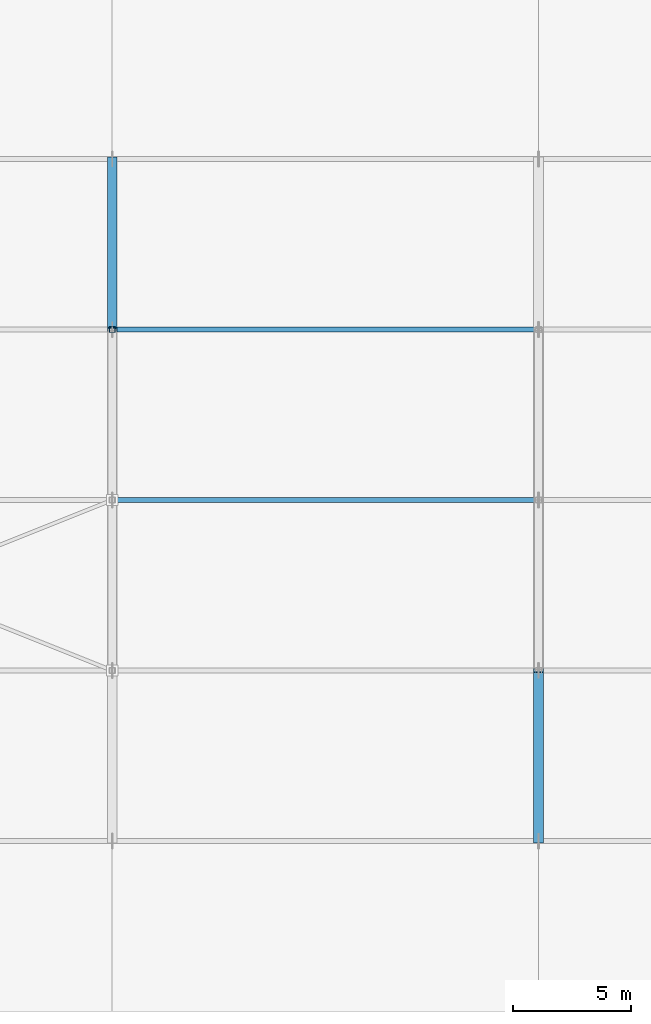
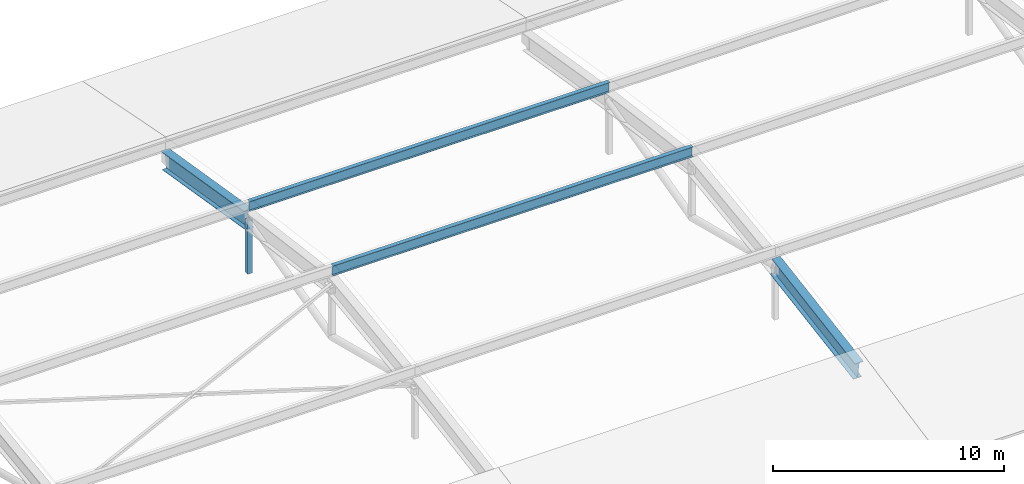
# One storey, part 10 of 78: 5 members.
"""IFC4 building model written with IfcOpenShell, lengths in metres."""

from ifc_helpers import new_model, si_unit, direction, frame, origin, origin_2d, place, context, subcontext, project, spatial, hollow_rectangle, i_section, extrude, material, material_profile, profile_set, type_object, element, save


model = new_model("IFC4")

# Units and contexts
model_context = context("Model", 3, precision=1e-05, world=origin(), true_north=direction((0.0, 1.0)))
body_context = subcontext(model_context, "Body", "Model", "MODEL_VIEW")
ifc_project = project(units=[si_unit("LENGTHUNIT", "METRE"), si_unit("AREAUNIT", "SQUARE_METRE"), si_unit("VOLUMEUNIT", "CUBIC_METRE"), si_unit("PLANEANGLEUNIT", "RADIAN"), si_unit("MASSUNIT", "GRAM", prefix="KILO")], contexts=[model_context])

# Site, building, storey
site_placement = place(None, origin())
site = spatial("IfcSite", under=ifc_project, at=site_placement, CompositionType="ELEMENT")
building_placement = place(site_placement, origin())
building = spatial("IfcBuilding", under=site, at=building_placement, Name="Celestram Park Convention Centre", CompositionType="ELEMENT")
storey_placement = place(building_placement, frame((0.0, 0.0, 19.800048828125)))
storey = spatial("IfcBuildingStorey", under=building, at=storey_placement, Name="L04", CompositionType="ELEMENT", Elevation=19.800048828125)

# Members
ifc_material_1 = material(Name="Steel ASTM A992 Grade 50", Category="steel")
ifc_material_profile_1 = material_profile(ifc_material_1, i_section(OverallWidth=0.4189453125, OverallDepth=0.927001953125, WebThickness=0.019287109375, FlangeThickness=0.031982421875, at=origin_2d()), Name="W36X231")
ifc_profile_set_1 = profile_set([ifc_material_profile_1], Name="Steel ASTM A992 Grade 50")
member_type_1 = type_object("IfcMemberType", Name="STR-CHD-W36X231", PredefinedType="CHORD", material=ifc_profile_set_1)
member_1_placement = place(storey_placement, frame((18.0, 72.0, 1.670166015625), z_axis=(0.0, 0.986648621514, -0.162863432557), x_axis=(-1.0, 0.0, 0.0)))
element("IfcMember", 1, at=member_1_placement, inside=storey, type_object=member_type_1, Name="V1 arch top chord", PredefinedType="CHORD", context=body_context, shape_type="SweptSolid", body=[
    extrude(i_section(OverallWidth=0.4189453125, OverallDepth=0.927001953125, WebThickness=0.019287109375, FlangeThickness=0.031982421875, at=origin_2d()), origin(), (0.0, 0.0, 1.0), 7.29736328125),
])
member_2_placement = place(storey_placement, frame((36.0, 50.39990234375, 0.481689453125), z_axis=(0.0, 0.986649508872, 0.162858056734), x_axis=(-1.0, 0.0, 0.0)))
element("IfcMember", 2, at=member_2_placement, inside=storey, type_object=member_type_1, Name="V1 arch top chord", PredefinedType="CHORD", context=body_context, shape_type="SweptSolid", body=[
    extrude(i_section(OverallWidth=0.4189453125, OverallDepth=0.927001953125, WebThickness=0.019287109375, FlangeThickness=0.031982421875, at=origin_2d()), origin(), (0.0, 0.0, 1.0), 7.297607421875),
])
ifc_material_profile_2 = material_profile(ifc_material_1, i_section(OverallWidth=0.2099609375, OverallDepth=0.532958984375, WebThickness=0.01025390625, FlangeThickness=0.015625, at=origin_2d()), Name="W21X62")
ifc_profile_set_2 = profile_set([ifc_material_profile_2], Name="Steel ASTM A992 Grade 50")
member_type_2 = type_object("IfcMemberType", Name="STR-RFT-W21X62", PredefinedType="RAFTER", material=ifc_profile_set_2)
for number, where, z_axis, x_axis, name in (
    (3, (18.0, 64.800048828125, 3.3583984375), (1.0, 0.0, 0.0), (0.0, 1.0, 0.0), "V1 roof purlin"),
    (4, (18.0, 72.0, 2.400146484375), (1.0, 0.0, 0.0), (0.0, 1.0, 0.0), "V1 roof purlin"),
):
    element("IfcMember", number, at=place(storey_placement, frame(where, z_axis=z_axis, x_axis=x_axis)), inside=storey, type_object=member_type_2, Name=name, PredefinedType="RAFTER", context=body_context, shape_type="SweptSolid", body=[
        extrude(i_section(OverallWidth=0.2099609375, OverallDepth=0.532958984375, WebThickness=0.01025390625, FlangeThickness=0.015625, at=origin_2d()), origin(), (0.0, 0.0, 1.0), 18.0),
    ])
ifc_material_2 = material(Name="Steel ASTM A500 Grade C", Category="steel")
ifc_material_profile_3 = material_profile(ifc_material_2, hollow_rectangle(XDim=0.25, YDim=0.25, WallThickness=0.011962890625, at=origin_2d()), Name="HSS250X250X12")
ifc_profile_set_3 = profile_set([ifc_material_profile_3], Name="Steel ASTM A500 Grade C")
member_type_3 = type_object("IfcMemberType", Name="STR-STR-HSS250", PredefinedType="STRUT", material=ifc_profile_set_3)
member_3_placement = place(storey_placement, frame((18.0, 72.0, -1.1298828125), z_axis=(0.0, 0.0, 1.0), x_axis=(1.0, 0.0, 0.0)))
element("IfcMember", 5, at=member_3_placement, inside=storey, type_object=member_type_3, Name="V1 arch vertical strut", PredefinedType="STRUT", context=body_context, shape_type="SweptSolid", body=[
    extrude(hollow_rectangle(XDim=0.25, YDim=0.25, WallThickness=0.011962890625, at=origin_2d()), origin(), (0.0, 0.0, 1.0), 2.800048828125),
])

save(model, "model.ifc")
